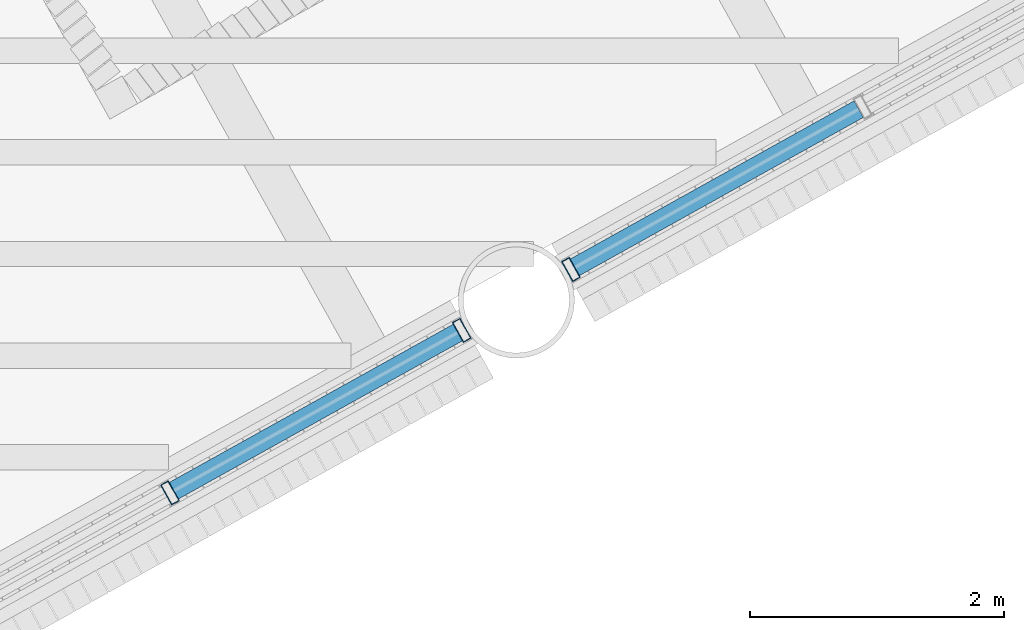
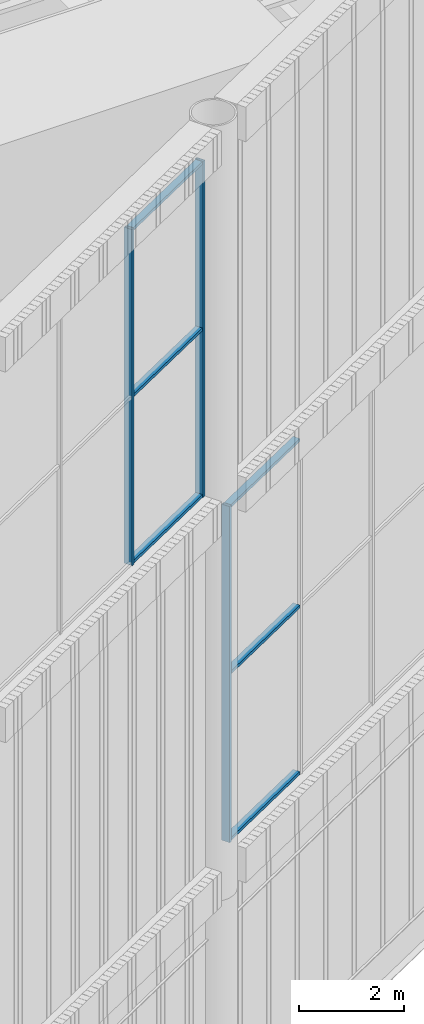
# One storey, part 9 of 117: 9 members, 2 elements without a shape of their own.
"""IFC4 building model written with IfcOpenShell, lengths in metres."""

from ifc_helpers import new_model, si_unit, direction, frame, origin, origin_2d, place, context, subcontext, project, spatial, hollow_rectangle, extrude, material, layer, layer_set, material_profile, profile_set, type_object, element, aggregate, save


model = new_model("IFC4")

# Units and contexts
model_context = context("Model", 3, precision=1e-05, world=origin(), true_north=direction((0.0, 1.0)))
body_context = subcontext(model_context, "Body", "Model", "MODEL_VIEW")
ifc_project = project(units=[si_unit("LENGTHUNIT", "METRE"), si_unit("AREAUNIT", "SQUARE_METRE"), si_unit("VOLUMEUNIT", "CUBIC_METRE"), si_unit("PLANEANGLEUNIT", "RADIAN"), si_unit("MASSUNIT", "GRAM", prefix="KILO")], contexts=[model_context])

# Site, building, storey
site_placement = place(None, origin())
site = spatial("IfcSite", under=ifc_project, at=site_placement, CompositionType="ELEMENT")
building_placement = place(site_placement, origin())
building = spatial("IfcBuilding", under=site, at=building_placement, Name="Tarsis Ring Headquarters", CompositionType="ELEMENT")
storey_placement = place(building_placement, frame((0.0, 0.0, 403.60009765625)))
storey = spatial("IfcBuildingStorey", under=building, at=storey_placement, Name="L95", CompositionType="ELEMENT", Elevation=403.60009765625)

# Curtain wall, member
ifc_material_1 = material(Name="Aluminium curtain wall", Category="aluminium")
ifc_layer = layer(ifc_material_1, 0.179931640625)
ifc_layer_set = layer_set([ifc_layer], Name="Curtain wall crown glazing")
curtain_wall_type = type_object("IfcCurtainWallType", Name="Curtain wall crown glazing", PredefinedType="NOTDEFINED", material=ifc_layer_set)
curtain_wall_1_placement = place(storey_placement, origin())
curtain_wall_1 = element("IfcCurtainWall", 1, at=curtain_wall_1_placement, inside=storey, type_object=curtain_wall_type, Name="Crown glazing L19", PredefinedType="NOTDEFINED")
ifc_material_2 = material(Name="Aluminium mullion", Category="aluminium")
ifc_material_profile_1 = material_profile(ifc_material_2, hollow_rectangle(XDim=0.179931640625, YDim=0.070068359375, WallThickness=0.0048828125, at=origin_2d()), Name="RHS 180x70x5")
ifc_profile_set_1 = profile_set([ifc_material_profile_1], Name="Aluminium mullion")
member_type_1 = type_object("IfcMemberType", Name="Crown glazing mullion RHS 180x70x5", PredefinedType="MULLION", material=ifc_profile_set_1)
member_1_placement = place(storey_placement, frame((-21.98095703125, -29.185791015625, 5.7998046875), z_axis=(0.0, 0.0, 1.0), x_axis=(-0.486640205409, 0.873602489969, 0.0)))
member_1 = element("IfcMember", 2, at=member_1_placement, type_object=member_type_1, Name="CW-C mullion 1", PredefinedType="MULLION", context=body_context, shape_type="SweptSolid", body=[
    extrude(hollow_rectangle(XDim=0.179931640625, YDim=0.070068359375, WallThickness=0.0048828125, at=origin_2d()), origin(), (0.0, 0.0, 1.0), 7.800048828125),
])

# Curtain wall, members
curtain_wall_2_placement = place(storey_placement, origin())
curtain_wall_2 = element("IfcCurtainWall", 3, at=curtain_wall_2_placement, inside=storey, type_object=curtain_wall_type, Name="Crown glazing U18", PredefinedType="NOTDEFINED")
member_2_placement = place(storey_placement, frame((-25.13623046875, -30.943603515625, 14.39990234375), z_axis=(0.0, 0.0, 1.0), x_axis=(-0.486640354177, 0.873602407098, 0.0)))
member_2 = element("IfcMember", 4, at=member_2_placement, type_object=member_type_1, Name="CW-C mullion 3", PredefinedType="MULLION", context=body_context, shape_type="SweptSolid", body=[
    extrude(hollow_rectangle(XDim=0.179931640625, YDim=0.070068359375, WallThickness=0.0048828125, at=origin_2d()), origin(), (0.0, 0.0, 1.0), 7.800048828125),
])
member_3_placement = place(storey_placement, frame((-22.8408203125, -29.664794921875, 14.39990234375), z_axis=(0.0, 0.0, 1.0), x_axis=(-0.486640354177, 0.873602407098, 0.0)))
member_3 = element("IfcMember", 5, at=member_3_placement, type_object=member_type_1, Name="CW-C mullion 4", PredefinedType="MULLION", context=body_context, shape_type="SweptSolid", body=[
    extrude(hollow_rectangle(XDim=0.179931640625, YDim=0.070068359375, WallThickness=0.0048828125, at=origin_2d()), origin(), (0.0, 0.0, 1.0), 7.800048828125),
])

# Member
ifc_material_3 = material(Name="Aluminium transom", Category="aluminium")
ifc_material_profile_2 = material_profile(ifc_material_3, hollow_rectangle(XDim=0.14990234375, YDim=0.070068359375, WallThickness=0.0048828125, at=origin_2d()), Name="RHS 150x70x5")
ifc_profile_set_2 = profile_set([ifc_material_profile_2], Name="Aluminium transom")
member_type_2 = type_object("IfcMemberType", Name="Crown glazing transom RHS 150x70x5", PredefinedType="USERDEFINED", material=ifc_profile_set_2)
member_4_placement = place(storey_placement, frame((-21.950439453125, -29.1689453125, 5.8349609375), z_axis=(0.873566816778, 0.486704239374, 0.0), x_axis=(-0.486704239374, 0.873566816778, 0.0)))
member_4 = element("IfcMember", 6, at=member_4_placement, type_object=member_type_2, Name="CW-C transom 1.1", ObjectType="TRANSOM", PredefinedType="USERDEFINED", context=body_context, shape_type="SweptSolid", body=[
    extrude(hollow_rectangle(XDim=0.14990234375, YDim=0.070068359375, WallThickness=0.0048828125, at=origin_2d()), origin(), (0.0, 0.0, 1.0), 2.557861328125),
])

member_5_placement = place(storey_placement, frame((-21.950439453125, -29.1689453125, 9.699951171875), z_axis=(0.873566816778, 0.486704239374, 0.0), x_axis=(-0.486704239374, 0.873566816778, 0.0)))
member_5 = element("IfcMember", 7, at=member_5_placement, type_object=member_type_2, Name="CW-C transom 1.2", ObjectType="TRANSOM", PredefinedType="USERDEFINED", context=body_context, shape_type="SweptSolid", body=[
    extrude(hollow_rectangle(XDim=0.14990234375, YDim=0.070068359375, WallThickness=0.0048828125, at=origin_2d()), origin(), (0.0, 0.0, 1.0), 2.557861328125),
])

member_6_placement = place(storey_placement, frame((-21.950439453125, -29.1689453125, 13.56494140625), z_axis=(0.873566816778, 0.486704239374, 0.0), x_axis=(-0.486704239374, 0.873566816778, 0.0)))
member_6 = element("IfcMember", 8, at=member_6_placement, type_object=member_type_2, Name="CW-C transom 1.3", ObjectType="TRANSOM", PredefinedType="USERDEFINED", context=body_context, shape_type="SweptSolid", body=[
    extrude(hollow_rectangle(XDim=0.14990234375, YDim=0.070068359375, WallThickness=0.0048828125, at=origin_2d()), origin(), (0.0, 0.0, 1.0), 2.557861328125),
])

aggregate(curtain_wall_1, [member_1, member_4, member_5, member_6])

member_7_placement = place(storey_placement, frame((-25.105712890625, -30.926513671875, 14.434814453125), z_axis=(0.873607398367, 0.486631393889, 0.0), x_axis=(-0.486631393889, 0.873607398367, 0.0)))
member_7 = element("IfcMember", 9, at=member_7_placement, type_object=member_type_2, Name="CW-C transom 3.1", ObjectType="TRANSOM", PredefinedType="USERDEFINED", context=body_context, shape_type="SweptSolid", body=[
    extrude(hollow_rectangle(XDim=0.14990234375, YDim=0.070068359375, WallThickness=0.0048828125, at=origin_2d()), origin(), (0.0, 0.0, 1.0), 2.5576171875),
])

member_8_placement = place(storey_placement, frame((-25.105712890625, -30.926513671875, 18.2998046875), z_axis=(0.873607398367, 0.486631393889, 0.0), x_axis=(-0.486631393889, 0.873607398367, 0.0)))
member_8 = element("IfcMember", 10, at=member_8_placement, type_object=member_type_2, Name="CW-C transom 3.2", ObjectType="TRANSOM", PredefinedType="USERDEFINED", context=body_context, shape_type="SweptSolid", body=[
    extrude(hollow_rectangle(XDim=0.14990234375, YDim=0.070068359375, WallThickness=0.0048828125, at=origin_2d()), origin(), (0.0, 0.0, 1.0), 2.5576171875),
])

member_9_placement = place(storey_placement, frame((-25.105712890625, -30.926513671875, 22.164794921875), z_axis=(0.873607398367, 0.486631393889, 0.0), x_axis=(-0.486631393889, 0.873607398367, 0.0)))
member_9 = element("IfcMember", 11, at=member_9_placement, type_object=member_type_2, Name="CW-C transom 3.3", ObjectType="TRANSOM", PredefinedType="USERDEFINED", context=body_context, shape_type="SweptSolid", body=[
    extrude(hollow_rectangle(XDim=0.14990234375, YDim=0.070068359375, WallThickness=0.0048828125, at=origin_2d()), origin(), (0.0, 0.0, 1.0), 2.5576171875),
])

aggregate(curtain_wall_2, [member_2, member_3, member_7, member_8, member_9])

save(model, "model.ifc")
